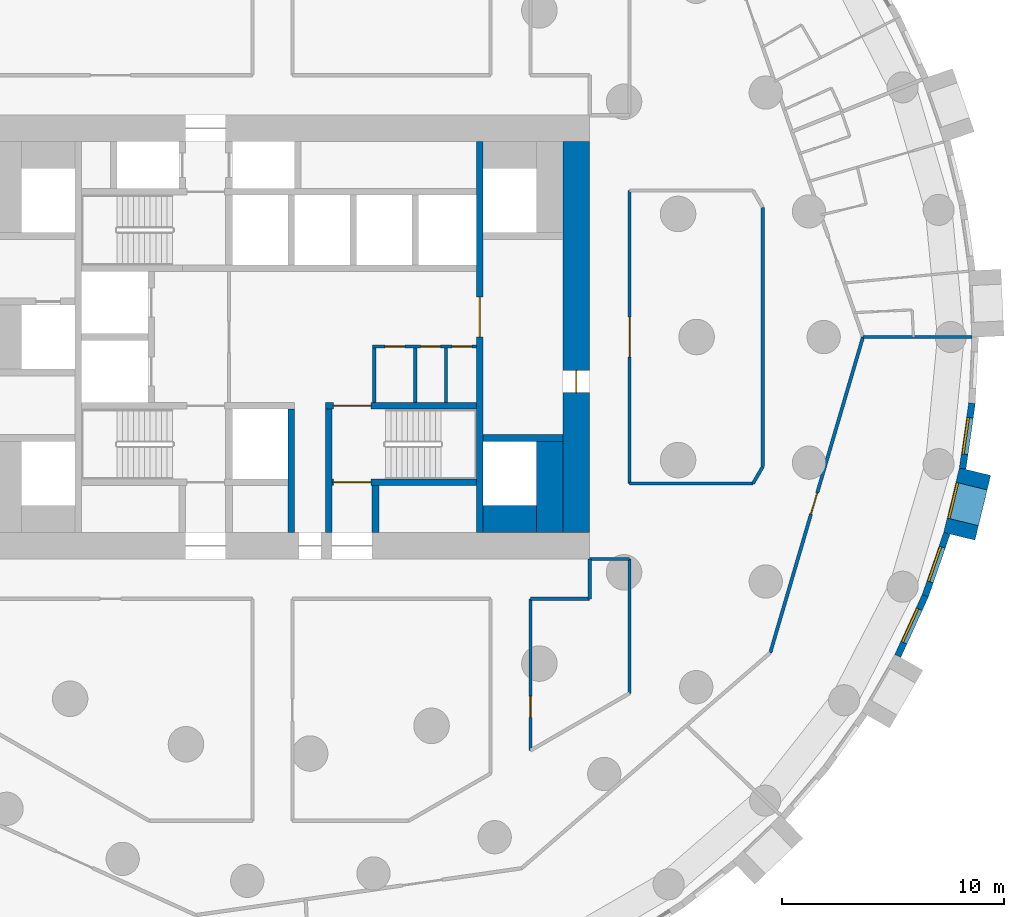
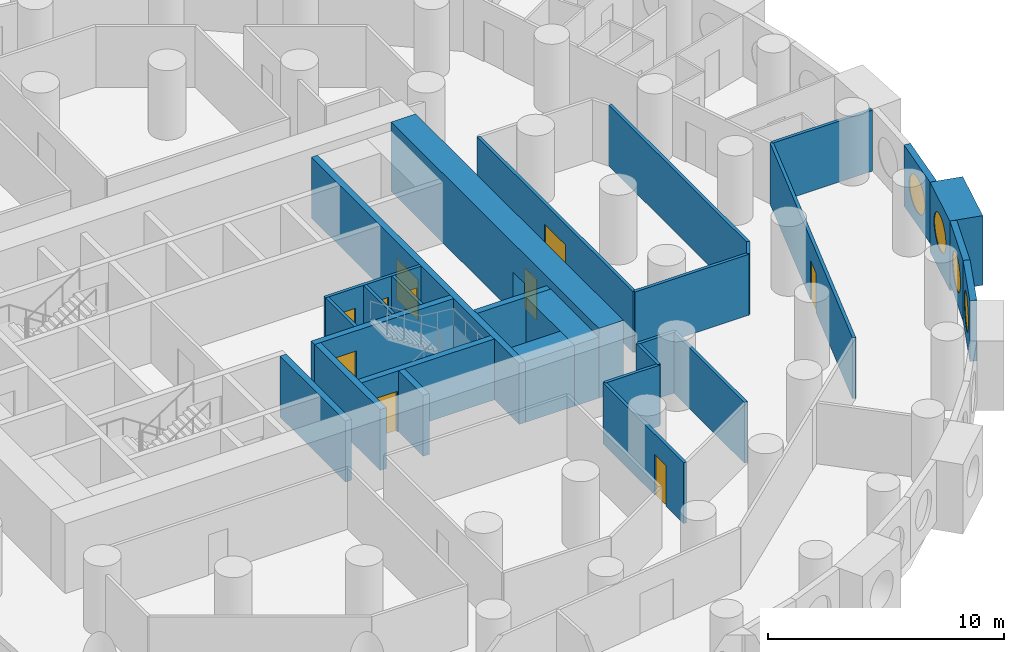
# One storey, part 5 of 12: 29 walls, 10 doors, 4 windows, 14 openings.
"""IFC4 building model written with IfcOpenShell, lengths in metres."""

from ifc_helpers import new_model, si_unit, direction, frame, frame_2d, origin, origin_2d, place, context, subcontext, project, spatial, rectangle, circle, extrude, material, layer, layer_set, type_object, element, fill, save


model = new_model("IFC4")

# Units and contexts
model_context = context("Model", 3, precision=1e-05, world=origin(), true_north=direction((0.0, 1.0)))
body_context = subcontext(model_context, "Body", "Model", "MODEL_VIEW")
ifc_project = project(units=[si_unit("LENGTHUNIT", "METRE"), si_unit("AREAUNIT", "SQUARE_METRE"), si_unit("VOLUMEUNIT", "CUBIC_METRE"), si_unit("PLANEANGLEUNIT", "RADIAN"), si_unit("MASSUNIT", "GRAM", prefix="KILO")], contexts=[model_context])

# Site, building, storey
site_placement = place(None, origin())
site = spatial("IfcSite", under=ifc_project, at=site_placement, CompositionType="ELEMENT")
building_placement = place(site_placement, origin())
building = spatial("IfcBuilding", under=site, at=building_placement, Name="Tracery Tower", CompositionType="ELEMENT")
storey_placement = place(building_placement, frame((0.0, 0.0, 39.0)))
storey = spatial("IfcBuildingStorey", under=building, at=storey_placement, Name="L08", CompositionType="ELEMENT", Elevation=39.0)

# Wall
ifc_material_1 = material(Name="Plasterboard on steel studs", Category="steel")
ifc_layer_1 = layer(ifc_material_1, 0.14990234375)
ifc_layer_set_1 = layer_set([ifc_layer_1], Name="Core room partition 150")
wall_type_1 = type_object("IfcWallType", Name="Core room partition 150", PredefinedType="SOLIDWALL", material=ifc_layer_set_1)
wall_1_placement = place(storey_placement, frame((4.300048828125, -2.949951171875, 0.0), z_axis=(0.0, 0.0, 1.0), x_axis=(0.0, 1.0, 0.0)))
element("IfcWall", 1, at=wall_1_placement, inside=storey, type_object=wall_type_1, Name="L08 slot W", PredefinedType="SOLIDWALL", context=body_context, shape_type="SweptSolid", body=[
    extrude(rectangle(XDim=2.449951171875, YDim=0.14990234375, at=frame_2d((1.22509765625, 0.0))), origin(), (0.0, 0.0, 1.0), 3.14990234375),
])

# Wall, openings, doors
wall_2_placement = place(storey_placement, frame((4.22509765625, -0.425048828125, 0.0), z_axis=(0.0, 0.0, 1.0), x_axis=(1.0, 0.0, 0.0)))
wall_2 = element("IfcWall", 2, at=wall_2_placement, inside=storey, type_object=wall_type_1, Name="L08 slot N", PredefinedType="SOLIDWALL", context=body_context, shape_type="SweptSolid", body=[
    extrude(rectangle(XDim=4.6748046875, YDim=0.14990234375, at=frame_2d((2.33740234375, 0.0))), origin(), (0.0, 0.0, 1.0), 3.14990234375),
])
opening_1_placement = place(wall_2_placement, frame((0.550048828125, 0.0, 0.0)))
opening_1 = element("IfcOpeningElement", 3, at=opening_1_placement, cuts=wall_2, Name="Opening KD22", PredefinedType="OPENING", context=body_context, shape_type="SweptSolid", body=[
    extrude(rectangle(XDim=0.89990234375, YDim=2.10009765625, at=frame_2d((0.449951171875, 1.050048828125))), frame((0.0, 0.074951171875, 0.0), z_axis=(0.0, -1.0, 0.0), x_axis=(1.0, 0.0, 0.0)), (0.0, 0.0, 1.0), 0.14990234375),
])
opening_2_placement = place(wall_2_placement, frame((2.16259765625, 0.0, 0.0)))
opening_2 = element("IfcOpeningElement", 4, at=opening_2_placement, cuts=wall_2, Name="Opening KD31", PredefinedType="OPENING", context=body_context, shape_type="SweptSolid", body=[
    extrude(rectangle(XDim=0.89990234375, YDim=2.10009765625, at=frame_2d((0.449951171875, 1.050048828125))), frame((0.0, 0.074951171875, 0.0), z_axis=(0.0, -1.0, 0.0), x_axis=(1.0, 0.0, 0.0)), (0.0, 0.0, 1.0), 0.14990234375),
])
opening_3_placement = place(wall_2_placement, frame((3.574951171875, 0.0, 0.0)))
opening_3 = element("IfcOpeningElement", 5, at=opening_3_placement, cuts=wall_2, Name="Opening KD27", PredefinedType="OPENING", context=body_context, shape_type="SweptSolid", body=[
    extrude(rectangle(XDim=0.89990234375, YDim=2.10009765625, at=frame_2d((0.449951171875, 1.050048828125))), frame((0.0, 0.074951171875, 0.0), z_axis=(0.0, -1.0, 0.0), x_axis=(1.0, 0.0, 0.0)), (0.0, 0.0, 1.0), 0.14990234375),
])
ifc_material_2 = material(Name="Timber door leaf", Category="wood")
door_type_1 = type_object("IfcDoorType", Name="Core WC door 900", OperationType="NOTDEFINED", PredefinedType="DOOR", material=ifc_material_2)
door_1_placement = place(opening_1_placement, origin())
door_1 = element("IfcDoor", 6, at=door_1_placement, inside=storey, type_object=door_type_1, Name="Core door", OperationType="SINGLE_SWING_RIGHT", OverallHeight=2.10009765625, OverallWidth=0.89990234375, PredefinedType="DOOR", context=body_context, shape_type="SweptSolid", body=[
    extrude(rectangle(XDim=0.89990234375, YDim=2.10009765625, at=frame_2d((0.449951171875, 1.050048828125))), frame((0.0, 0.02490234375, 0.0), z_axis=(0.0, -1.0, 0.0), x_axis=(1.0, 0.0, 0.0)), (0.0, 0.0, 1.0), 0.050048828125),
])
fill(opening_1, door_1)
ifc_material_3 = material(Name="Steel fire door", Category="steel")
door_type_2 = type_object("IfcDoorType", Name="Core riser door 900", OperationType="NOTDEFINED", PredefinedType="DOOR", material=ifc_material_3)
door_2_placement = place(opening_2_placement, origin())
door_2 = element("IfcDoor", 7, at=door_2_placement, inside=storey, type_object=door_type_2, Name="Core door", OperationType="SINGLE_SWING_LEFT", OverallHeight=2.10009765625, OverallWidth=0.89990234375, PredefinedType="DOOR", context=body_context, shape_type="SweptSolid", body=[
    extrude(rectangle(XDim=0.89990234375, YDim=2.10009765625, at=frame_2d((0.449951171875, 1.050048828125))), frame((0.0, 0.02490234375, 0.0), z_axis=(0.0, -1.0, 0.0), x_axis=(1.0, 0.0, 0.0)), (0.0, 0.0, 1.0), 0.050048828125),
])
fill(opening_2, door_2)
ifc_material_4 = material(Name="Timber door leaf", Category="wood")
door_type_3 = type_object("IfcDoorType", Name="Core store door 900", OperationType="NOTDEFINED", PredefinedType="DOOR", material=ifc_material_4)
door_3_placement = place(opening_3_placement, origin())
door_3 = element("IfcDoor", 8, at=door_3_placement, inside=storey, type_object=door_type_3, Name="Core door", OperationType="SINGLE_SWING_RIGHT", OverallHeight=2.10009765625, OverallWidth=0.89990234375, PredefinedType="DOOR", context=body_context, shape_type="SweptSolid", body=[
    extrude(rectangle(XDim=0.89990234375, YDim=2.10009765625, at=frame_2d((0.449951171875, 1.050048828125))), frame((0.0, 0.02490234375, 0.0), z_axis=(0.0, -1.0, 0.0), x_axis=(1.0, 0.0, 0.0)), (0.0, 0.0, 1.0), 0.050048828125),
])
fill(opening_3, door_3)

# Walls
for number, where, z_axis, x_axis, name in (
    (9, (6.14990234375, -2.949951171875, 0.0), (0.0, 0.0, 1.0), (0.0, 1.0, 0.0), "L08 slot sep 1"),
    (10, (7.52490234375, -2.949951171875, 0.0), (0.0, 0.0, 1.0), (0.0, 1.0, 0.0), "L08 slot sep 2"),
):
    element("IfcWall", number, at=place(storey_placement, frame(where, z_axis=z_axis, x_axis=x_axis)), inside=storey, type_object=wall_type_1, Name=name, PredefinedType="SOLIDWALL", context=body_context, shape_type="SweptSolid", body=[
        extrude(rectangle(XDim=2.449951171875, YDim=0.14990234375, at=frame_2d((1.22509765625, 0.0))), origin(), (0.0, 0.0, 1.0), 3.14990234375),
    ])
ifc_material_5 = material(Name="Concrete C60/75", Category="concrete")
ifc_layer_2 = layer(ifc_material_5, 1.199951171875)
ifc_layer_set_2 = layer_set([ifc_layer_2], Name="Core strip wall 1200 C60")
wall_type_2 = type_object("IfcWallType", Name="Core strip wall 1200 C60", PredefinedType="SOLIDWALL", material=ifc_layer_set_2)
wall_3_placement = place(storey_placement, frame((12.199951171875, -8.800048828125, 0.0), z_axis=(0.0, 0.0, 1.0), x_axis=(0.0, 1.0, 0.0)))
element("IfcWall", 11, at=wall_3_placement, inside=storey, type_object=wall_type_2, Name="L08 wing strip +1 -9.4", PredefinedType="SOLIDWALL", context=body_context, shape_type="SweptSolid", body=[
    extrude(rectangle(XDim=4.10009765625, YDim=1.199951171875, at=frame_2d((2.050048828125, 0.0))), origin(), (0.0, 0.0, 1.0), 3.14990234375),
])
wall_4_placement = place(storey_placement, frame((9.199951171875, -8.199951171875, 0.0), z_axis=(0.0, 0.0, 1.0), x_axis=(1.0, 0.0, 0.0)))
element("IfcWall", 12, at=wall_4_placement, inside=storey, type_object=wall_type_2, Name="L08 wing corner +1 -8.2", PredefinedType="SOLIDWALL", context=body_context, shape_type="SweptSolid", body=[
    extrude(rectangle(XDim=2.400146484375, YDim=1.199951171875, at=frame_2d((1.2001953125, 0.0))), origin(), (0.0, 0.0, 1.0), 3.14990234375),
])

# Wall, opening, door
ifc_material_6 = material(Name="Concrete C60/75", Category="concrete")
ifc_layer_3 = layer(ifc_material_6, 1.199951171875)
ifc_layer_set_3 = layer_set([ifc_layer_3], Name="Core wall 1200 C60")
wall_type_3 = type_object("IfcWallType", Name="Core wall 1200 C60", PredefinedType="SOLIDWALL", material=ifc_layer_set_3)
wall_5_placement = place(storey_placement, frame((13.39990234375, -8.800048828125, 0.0), z_axis=(0.0, 0.0, 1.0), x_axis=(0.0, 1.0, 0.0)))
wall_5 = element("IfcWall", 13, at=wall_5_placement, inside=storey, type_object=wall_type_3, Name="L08 outer E", PredefinedType="SOLIDWALL", context=body_context, shape_type="SweptSolid", body=[
    extrude(rectangle(XDim=17.60009765625, YDim=1.199951171875, at=frame_2d((8.800048828125, 0.0))), origin(), (0.0, 0.0, 1.0), 3.60009765625),
])
opening_4_placement = place(wall_5_placement, frame((6.300048828125, 0.0, 0.0)))
opening_4 = element("IfcOpeningElement", 14, at=opening_4_placement, cuts=wall_5, Name="Opening KD18", PredefinedType="OPENING", context=body_context, shape_type="SweptSolid", body=[
    extrude(rectangle(XDim=1.0, YDim=2.10009765625, at=frame_2d((0.5, 1.050048828125))), frame((0.0, 0.60009765625, 0.0), z_axis=(0.0, -1.0, 0.0), x_axis=(1.0, 0.0, 0.0)), (0.0, 0.0, 1.0), 1.199951171875),
])
ifc_material_7 = material(Name="Steel fire door", Category="steel")
door_type_4 = type_object("IfcDoorType", Name="Core exit door 1000", OperationType="NOTDEFINED", PredefinedType="DOOR", material=ifc_material_7)
door_4_placement = place(opening_4_placement, origin())
door_4 = element("IfcDoor", 15, at=door_4_placement, inside=storey, type_object=door_type_4, Name="Core exit door", OperationType="DOUBLE_DOOR_SINGLE_SWING", OverallHeight=2.10009765625, OverallWidth=1.0, PredefinedType="DOOR", context=body_context, shape_type="SweptSolid", body=[
    extrude(rectangle(XDim=1.0, YDim=2.10009765625, at=frame_2d((0.5, 1.050048828125))), frame((0.0, 0.02490234375, 0.0), z_axis=(0.0, -1.0, 0.0), x_axis=(1.0, 0.0, 0.0)), (0.0, 0.0, 1.0), 0.050048828125),
])
fill(opening_4, door_4)

# Wall, opening, window
ifc_material_8 = material(Name="Precast concrete C50/60", Category="concrete")
ifc_layer_4 = layer(ifc_material_8, 1.449951171875)
ifc_layer_set_4 = layer_set([ifc_layer_4], Name="Deep-set bay unit 3000 x 3600, slab edge 450")
wall_type_4 = type_object("IfcWallType", Name="Deep-set bay unit 3000 x 3600, slab edge 450", PredefinedType="ELEMENTEDWALL", material=ifc_layer_set_4)
wall_6_placement = place(storey_placement, frame((30.66064453125, -8.981689453125, -0.449951171875), z_axis=(0.0, 0.0, 1.0), x_axis=(0.235751415068, 0.971813392732, 0.0)))
wall_6 = element("IfcWall", 16, at=wall_6_placement, inside=storey, type_object=wall_type_4, Name="Deep-set bay unit 64 at L08", PredefinedType="ELEMENTEDWALL", context=body_context, shape_type="SweptSolid", body=[
    extrude(rectangle(XDim=3.0, YDim=1.449951171875, at=frame_2d((1.5, 0.0))), origin(), (0.0, 0.0, 1.0), 3.599853515625),
])
opening_5_placement = place(wall_6_placement, frame((1.5, 0.0, 2.0)))
opening_5 = element("IfcOpeningElement", 17, at=opening_5_placement, cuts=wall_6, Name="Opening WN1", PredefinedType="OPENING", context=body_context, shape_type="SweptSolid", body=[
    extrude(circle(Radius=0.9000244140625, at=origin_2d()), frame((0.0, 0.73486328125, 0.0), z_axis=(0.0, -1.0, 0.0), x_axis=(1.0, 0.0, 0.0)), (0.0, 0.0, 1.0), 1.469970703125),
])
ifc_material_9 = material(Name="Aluminium frame with tinted double glazing", Category="aluminium")
window_type = type_object("IfcWindowType", Name="Round window 1800", PartitioningType="SINGLE_PANEL", PredefinedType="WINDOW", material=ifc_material_9)
window_1_placement = place(opening_5_placement, origin())
window_1 = element("IfcWindow", 18, at=window_1_placement, inside=storey, type_object=window_type, Name="Round window 64 at L08", OverallHeight=1.800048828125, OverallWidth=1.800048828125, PartitioningType="SINGLE_PANEL", PredefinedType="WINDOW", context=body_context, shape_type="SweptSolid", body=[
    extrude(circle(Radius=0.9000244140625, at=origin_2d()), frame((0.0, 0.69482421875, 0.0), z_axis=(0.0, -1.0, 0.0), x_axis=(1.0, 0.0, 0.0)), (0.0, 0.0, 1.0), 0.10009765625),
])
fill(opening_5, window_1)

ifc_material_10 = material(Name="Precast concrete C50/60", Category="concrete")
ifc_layer_5 = layer(ifc_material_10, 0.300048828125)
ifc_layer_set_5 = layer_set([ifc_layer_5], Name="Facade panel 3000 x 3150")
wall_type_5 = type_object("IfcWallType", Name="Facade panel 3000 x 3150", PredefinedType="SOLIDWALL", material=ifc_layer_set_5)
wall_7_placement = place(storey_placement, frame((27.88916015625, -14.37109375, 0.0), z_axis=(0.0, 0.0, 1.0), x_axis=(0.415407317162, 0.909635509888, 0.0)))
wall_7 = element("IfcWall", 19, at=wall_7_placement, inside=storey, type_object=wall_type_5, Name="Facade panel 62 at L08", PredefinedType="SOLIDWALL", context=body_context, shape_type="SweptSolid", body=[
    extrude(rectangle(XDim=2.979736328125, YDim=0.300048828125, at=frame_2d((1.48974609375, 0.0))), origin(), (0.0, 0.0, 1.0), 3.14990234375),
])
opening_6_placement = place(wall_7_placement, frame((1.48974609375, 0.0, 1.5498046875)))
opening_6 = element("IfcOpeningElement", 20, at=opening_6_placement, cuts=wall_7, Name="Opening WN1", PredefinedType="OPENING", context=body_context, shape_type="SweptSolid", body=[
    extrude(circle(Radius=0.9000244140625, at=origin_2d()), frame((0.0, 0.159912109375, 0.0), z_axis=(0.0, -1.0, 0.0), x_axis=(1.0, 0.0, 0.0)), (0.0, 0.0, 1.0), 0.320068359375),
])
window_2_placement = place(opening_6_placement, origin())
window_2 = element("IfcWindow", 21, at=window_2_placement, inside=storey, type_object=window_type, Name="Round window 62 at L08", OverallHeight=1.800048828125, OverallWidth=1.800048828125, PartitioningType="SINGLE_PANEL", PredefinedType="WINDOW", context=body_context, shape_type="SweptSolid", body=[
    extrude(circle(Radius=0.9000244140625, at=origin_2d()), frame((0.0, 0.1201171875, 0.0), z_axis=(0.0, -1.0, 0.0), x_axis=(1.0, 0.0, 0.0)), (0.0, 0.0, 1.0), 0.10009765625),
])
fill(opening_6, window_2)

wall_8_placement = place(storey_placement, frame((29.126953125, -11.66064453125, 0.0), z_axis=(0.0, 0.0, 1.0), x_axis=(0.327096492592, 0.944990944154, 0.0)))
wall_8 = element("IfcWall", 22, at=wall_8_placement, inside=storey, type_object=wall_type_5, Name="Facade panel 63 at L08", PredefinedType="SOLIDWALL", context=body_context, shape_type="SweptSolid", body=[
    extrude(rectangle(XDim=2.9794921875, YDim=0.300048828125, at=frame_2d((1.48974609375, 0.0))), origin(), (0.0, 0.0, 1.0), 3.14990234375),
])
opening_7_placement = place(wall_8_placement, frame((1.48974609375, 0.0, 1.5498046875)))
opening_7 = element("IfcOpeningElement", 23, at=opening_7_placement, cuts=wall_8, Name="Opening WN1", PredefinedType="OPENING", context=body_context, shape_type="SweptSolid", body=[
    extrude(circle(Radius=0.9000244140625, at=origin_2d()), frame((0.0, 0.159912109375, 0.0), z_axis=(0.0, -1.0, 0.0), x_axis=(1.0, 0.0, 0.0)), (0.0, 0.0, 1.0), 0.320068359375),
])
window_3_placement = place(opening_7_placement, origin())
window_3 = element("IfcWindow", 24, at=window_3_placement, inside=storey, type_object=window_type, Name="Round window 63 at L08", OverallHeight=1.800048828125, OverallWidth=1.800048828125, PartitioningType="SINGLE_PANEL", PredefinedType="WINDOW", context=body_context, shape_type="SweptSolid", body=[
    extrude(circle(Radius=0.9000244140625, at=origin_2d()), frame((0.0, 0.1201171875, 0.0), z_axis=(0.0, -1.0, 0.0), x_axis=(1.0, 0.0, 0.0)), (0.0, 0.0, 1.0), 0.10009765625),
])
fill(opening_7, window_3)

wall_9_placement = place(storey_placement, frame((30.808349609375, -5.931640625, 0.0), z_axis=(0.0, 0.0, 1.0), x_axis=(0.142327539111, 0.989819615693, 0.0)))
wall_9 = element("IfcWall", 25, at=wall_9_placement, inside=storey, type_object=wall_type_5, Name="Facade panel 65 at L08", PredefinedType="SOLIDWALL", context=body_context, shape_type="SweptSolid", body=[
    extrude(rectangle(XDim=2.9794921875, YDim=0.300048828125, at=frame_2d((1.48974609375, 0.0))), origin(), (0.0, 0.0, 1.0), 3.14990234375),
])
opening_8_placement = place(wall_9_placement, frame((1.48974609375, 0.0, 1.5498046875)))
opening_8 = element("IfcOpeningElement", 26, at=opening_8_placement, cuts=wall_9, Name="Opening WN1", PredefinedType="OPENING", context=body_context, shape_type="SweptSolid", body=[
    extrude(circle(Radius=0.9000244140625, at=origin_2d()), frame((0.0, 0.159912109375, 0.0), z_axis=(0.0, -1.0, 0.0), x_axis=(1.0, 0.0, 0.0)), (0.0, 0.0, 1.0), 0.320068359375),
])
window_4_placement = place(opening_8_placement, origin())
window_4 = element("IfcWindow", 27, at=window_4_placement, inside=storey, type_object=window_type, Name="Round window 65 at L08", OverallHeight=1.800048828125, OverallWidth=1.800048828125, PartitioningType="SINGLE_PANEL", PredefinedType="WINDOW", context=body_context, shape_type="SweptSolid", body=[
    extrude(circle(Radius=0.9000244140625, at=origin_2d()), frame((0.0, 0.1201171875, 0.0), z_axis=(0.0, -1.0, 0.0), x_axis=(1.0, 0.0, 0.0)), (0.0, 0.0, 1.0), 0.10009765625),
])
fill(opening_8, window_4)

# Walls
ifc_material_11 = material(Name="Plasterboard on steel studs", Category="steel")
ifc_layer_6 = layer(ifc_material_11, 0.14990234375)
ifc_layer_set_6 = layer_set([ifc_layer_6], Name="Partition 150 acoustic unit wall")
wall_type_6 = type_object("IfcWallType", Name="Partition 150 acoustic unit wall", PredefinedType="PARTITIONING", material=ifc_layer_set_6)
wall_10_placement = place(storey_placement, frame((26.319091796875, 0.0, 0.0), z_axis=(0.0, 0.0, 1.0), x_axis=(1.0, 0.0, 0.0)))
element("IfcWall", 28, at=wall_10_placement, inside=storey, type_object=wall_type_6, Name="Unit wall RA2-065", PredefinedType="PARTITIONING", context=body_context, shape_type="SweptSolid", body=[
    extrude(rectangle(XDim=4.905029296875, YDim=0.14990234375, at=frame_2d((2.45263671875, 0.0))), origin(), (0.0, 0.0, 1.0), 3.14990234375),
])
ifc_material_12 = material(Name="Plasterboard on steel studs", Category="steel")
ifc_layer_7 = layer(ifc_material_12, 0.14990234375)
ifc_layer_set_7 = layer_set([ifc_layer_7], Name="Partition 150 corridor wall")
wall_type_7 = type_object("IfcWallType", Name="Partition 150 corridor wall", PredefinedType="PARTITIONING", material=ifc_layer_set_7)
wall_11_placement = place(storey_placement, frame((14.0, -11.800048828125, 0.0), z_axis=(0.0, 0.0, 1.0), x_axis=(0.0, 1.0, 0.0)))
element("IfcWall", 29, at=wall_11_placement, inside=storey, type_object=wall_type_7, Name="Corridor wall RA2-007", PredefinedType="PARTITIONING", context=body_context, shape_type="SweptSolid", body=[
    extrude(rectangle(XDim=1.800048828125, YDim=0.14990234375, at=frame_2d((0.89990234375, 0.0))), origin(), (0.0, 0.0, 1.0), 3.14990234375),
])
wall_12_placement = place(storey_placement, frame((11.33203125, -11.800048828125, 0.0), z_axis=(0.0, 0.0, 1.0), x_axis=(1.0, 0.0, 0.0)))
element("IfcWall", 30, at=wall_12_placement, inside=storey, type_object=wall_type_7, Name="Corridor wall RA2-008", PredefinedType="PARTITIONING", context=body_context, shape_type="SweptSolid", body=[
    extrude(rectangle(XDim=2.66796875, YDim=0.14990234375, at=frame_2d((1.333984375, 0.0))), origin(), (0.0, 0.0, 1.0), 3.14990234375),
])
wall_13_placement = place(storey_placement, frame((14.0, -10.0, 0.0), z_axis=(0.0, 0.0, 1.0), x_axis=(1.0, 0.0, 0.0)))
element("IfcWall", 31, at=wall_13_placement, inside=storey, type_object=wall_type_7, Name="Corridor wall RA2-010", PredefinedType="PARTITIONING", context=body_context, shape_type="SweptSolid", body=[
    extrude(rectangle(XDim=1.800048828125, YDim=0.14990234375, at=frame_2d((0.89990234375, 0.0))), origin(), (0.0, 0.0, 1.0), 3.14990234375),
])

# Wall, opening, door
wall_14_placement = place(storey_placement, frame((15.800048828125, -6.60400390625, 0.0), z_axis=(0.0, 0.0, 1.0), x_axis=(0.0, 1.0, 0.0)))
wall_14 = element("IfcWall", 32, at=wall_14_placement, inside=storey, type_object=wall_type_7, Name="Corridor wall RA2-011", PredefinedType="PARTITIONING", context=body_context, shape_type="SweptSolid", body=[
    extrude(rectangle(XDim=13.2080078125, YDim=0.14990234375, at=frame_2d((6.60400390625, 0.0))), origin(), (0.0, 0.0, 1.0), 3.14990234375),
])
opening_9_placement = place(wall_14_placement, frame((5.7041015625, 0.0, 0.0)))
opening_9 = element("IfcOpeningElement", 33, at=opening_9_placement, cuts=wall_14, Name="Opening RA2-07", PredefinedType="OPENING", context=body_context, shape_type="SweptSolid", body=[
    extrude(rectangle(XDim=1.800048828125, YDim=2.10009765625, at=frame_2d((0.89990234375, 1.050048828125))), frame((0.0, 0.074951171875, 0.0), z_axis=(0.0, -1.0, 0.0), x_axis=(1.0, 0.0, 0.0)), (0.0, 0.0, 1.0), 0.14990234375),
])
ifc_material_13 = material(Name="Timber door leaf", Category="wood")
door_type_5 = type_object("IfcDoorType", Name="Door double lounge 1800", OperationType="NOTDEFINED", PredefinedType="DOOR", material=ifc_material_13)
door_5_placement = place(opening_9_placement, origin())
door_5 = element("IfcDoor", 34, at=door_5_placement, inside=storey, type_object=door_type_5, Name="Double lounge door RA2-07", OperationType="DOUBLE_DOOR_SINGLE_SWING", OverallHeight=2.10009765625, OverallWidth=1.800048828125, PredefinedType="DOOR", context=body_context, shape_type="SweptSolid", body=[
    extrude(rectangle(XDim=1.800048828125, YDim=2.10009765625, at=frame_2d((0.89990234375, 1.050048828125))), frame((0.0, 0.02490234375, 0.0), z_axis=(0.0, -1.0, 0.0), x_axis=(1.0, 0.0, 0.0)), (0.0, 0.0, 1.0), 0.050048828125),
])
fill(opening_9, door_5)

# Walls
wall_15_placement = place(storey_placement, frame((15.800048828125, -16.052978515625, 0.0), z_axis=(0.0, 0.0, 1.0), x_axis=(0.0, 1.0, 0.0)))
element("IfcWall", 35, at=wall_15_placement, inside=storey, type_object=wall_type_7, Name="Corridor wall RA2-014", PredefinedType="PARTITIONING", context=body_context, shape_type="SweptSolid", body=[
    extrude(rectangle(XDim=6.056884765625, YDim=0.14990234375, at=frame_2d((3.0283203125, 0.0))), origin(), (0.0, 0.0, 1.0), 3.14990234375),
])
wall_16_placement = place(storey_placement, frame((15.800048828125, -6.60009765625, 0.0), z_axis=(0.0, 0.0, 1.0), x_axis=(1.0, 0.0, 0.0)))
element("IfcWall", 36, at=wall_16_placement, inside=storey, type_object=wall_type_7, Name="Corridor wall RA2-015", PredefinedType="PARTITIONING", context=body_context, shape_type="SweptSolid", body=[
    extrude(rectangle(XDim=5.56396484375, YDim=0.14990234375, at=frame_2d((2.781982421875, 0.0))), origin(), (0.0, 0.0, 1.0), 3.14990234375),
])
wall_17_placement = place(storey_placement, frame((21.364013671875, -6.60009765625, 0.0), z_axis=(0.0, 0.0, 1.0), x_axis=(0.500277597875, 0.865865073245, 0.0)))
element("IfcWall", 37, at=wall_17_placement, inside=storey, type_object=wall_type_7, Name="Corridor wall RA2-016", PredefinedType="PARTITIONING", context=body_context, shape_type="SweptSolid", body=[
    extrude(rectangle(XDim=0.87548828125, YDim=0.14990234375, at=frame_2d((0.437744140625, 0.0))), origin(), (0.0, 0.0, 1.0), 3.14990234375),
])
wall_18_placement = place(storey_placement, frame((21.802001953125, -5.842041015625, 0.0), z_axis=(0.0, 0.0, 1.0), x_axis=(0.0, 1.0, 0.0)))
element("IfcWall", 38, at=wall_18_placement, inside=storey, type_object=wall_type_7, Name="Corridor wall RA2-017", PredefinedType="PARTITIONING", context=body_context, shape_type="SweptSolid", body=[
    extrude(rectangle(XDim=11.68408203125, YDim=0.14990234375, at=frame_2d((5.842041015625, 0.0))), origin(), (0.0, 0.0, 1.0), 3.14990234375),
])

# Wall, opening, door
wall_19_placement = place(storey_placement, frame((22.14111328125, -14.22900390625, 0.0), z_axis=(0.0, 0.0, 1.0), x_axis=(0.281730446162, 0.959493593363, 0.0)))
wall_19 = element("IfcWall", 39, at=wall_19_placement, inside=storey, type_object=wall_type_7, Name="Corridor wall RA2-023", PredefinedType="PARTITIONING", context=body_context, shape_type="SweptSolid", body=[
    extrude(rectangle(XDim=14.82958984375, YDim=0.14990234375, at=frame_2d((7.414794921875, 0.0))), origin(), (0.0, 0.0, 1.0), 3.14990234375),
])
opening_10_placement = place(wall_19_placement, frame((6.5146484375, 0.0, 0.0)))
opening_10 = element("IfcOpeningElement", 40, at=opening_10_placement, cuts=wall_19, Name="Opening RA2-50", PredefinedType="OPENING", context=body_context, shape_type="SweptSolid", body=[
    extrude(rectangle(XDim=1.0, YDim=2.0400390625, at=frame_2d((0.5, 1.02001953125))), frame((0.0, 0.074951171875, 0.0), z_axis=(0.0, -1.0, 0.0), x_axis=(1.0, 0.0, 0.0)), (0.0, 0.0, 1.0), 0.14990234375),
])
ifc_material_14 = material(Name="Timber door leaf", Category="wood")
door_type_6 = type_object("IfcDoorType", Name="Door communal room 1000", OperationType="NOTDEFINED", PredefinedType="DOOR", material=ifc_material_14)
door_6_placement = place(opening_10_placement, origin())
door_6 = element("IfcDoor", 41, at=door_6_placement, inside=storey, type_object=door_type_6, Name="Communal room door RA2-50", OperationType="SINGLE_SWING_RIGHT", OverallHeight=2.0400390625, OverallWidth=1.0, PredefinedType="DOOR", context=body_context, shape_type="SweptSolid", body=[
    extrude(rectangle(XDim=1.0, YDim=2.0400390625, at=frame_2d((0.5, 1.02001953125))), frame((0.0, 0.02490234375, 0.0), z_axis=(0.0, -1.0, 0.0), x_axis=(1.0, 0.0, 0.0)), (0.0, 0.0, 1.0), 0.050048828125),
])
fill(opening_10, door_6)

wall_20_placement = place(storey_placement, frame((11.3359375, -18.6298828125, 0.0), z_axis=(0.0, 0.0, 1.0), x_axis=(0.0, 1.0, 0.0)))
wall_20 = element("IfcWall", 42, at=wall_20_placement, inside=storey, type_object=wall_type_7, Name="Corridor wall RA2-053", PredefinedType="PARTITIONING", context=body_context, shape_type="SweptSolid", body=[
    extrude(rectangle(XDim=6.829833984375, YDim=0.14990234375, at=frame_2d((3.4150390625, 0.0))), origin(), (0.0, 0.0, 1.0), 3.14990234375),
])
opening_11_placement = place(wall_20_placement, frame((1.489990234375, 0.0, 0.0)))
opening_11 = element("IfcOpeningElement", 43, at=opening_11_placement, cuts=wall_20, Name="Opening RA2-06", PredefinedType="OPENING", context=body_context, shape_type="SweptSolid", body=[
    extrude(rectangle(XDim=0.949951171875, YDim=2.10009765625, at=frame_2d((0.47509765625, 1.050048828125))), frame((0.0, 0.074951171875, 0.0), z_axis=(0.0, -1.0, 0.0), x_axis=(1.0, 0.0, 0.0)), (0.0, 0.0, 1.0), 0.14990234375),
])
ifc_material_15 = material(Name="Timber door leaf", Category="wood")
door_type_7 = type_object("IfcDoorType", Name="Door store 950", OperationType="NOTDEFINED", PredefinedType="DOOR", material=ifc_material_15)
door_7_placement = place(opening_11_placement, origin())
door_7 = element("IfcDoor", 44, at=door_7_placement, inside=storey, type_object=door_type_7, Name="Store door RA2-06", OperationType="SINGLE_SWING_RIGHT", OverallHeight=2.10009765625, OverallWidth=0.949951171875, PredefinedType="DOOR", context=body_context, shape_type="SweptSolid", body=[
    extrude(rectangle(XDim=0.949951171875, YDim=2.10009765625, at=frame_2d((0.47509765625, 1.050048828125))), frame((0.0, 0.02490234375, 0.0), z_axis=(0.0, -1.0, 0.0), x_axis=(1.0, 0.0, 0.0)), (0.0, 0.0, 1.0), 0.050048828125),
])
fill(opening_11, door_7)

# Walls
ifc_material_16 = material(Name="Concrete C60/75", Category="concrete")
ifc_layer_8 = layer(ifc_material_16, 0.300048828125)
ifc_layer_set_8 = layer_set([ifc_layer_8], Name="Shaft wall 300 C60")
wall_type_8 = type_object("IfcWallType", Name="Shaft wall 300 C60", PredefinedType="SOLIDWALL", material=ifc_layer_set_8)
wall_21_placement = place(storey_placement, frame((0.550048828125, -8.800048828125, 0.0), z_axis=(0.0, 0.0, 1.0), x_axis=(0.0, 1.0, 0.0)))
element("IfcWall", 45, at=wall_21_placement, inside=storey, type_object=wall_type_8, Name="L08 OB2 E", PredefinedType="SOLIDWALL", context=body_context, shape_type="SweptSolid", body=[
    extrude(rectangle(XDim=5.550048828125, YDim=0.300048828125, at=frame_2d((2.77490234375, 0.0))), origin(), (0.0, 0.0, 1.0), 3.14990234375),
])
wall_22_placement = place(storey_placement, frame((4.35009765625, -8.800048828125, 0.0), z_axis=(0.0, 0.0, 1.0), x_axis=(0.0, 1.0, 0.0)))
element("IfcWall", 46, at=wall_22_placement, inside=storey, type_object=wall_type_8, Name="L08 band S +4.35", PredefinedType="SOLIDWALL", context=body_context, shape_type="SweptSolid", body=[
    extrude(rectangle(XDim=2.10009765625, YDim=0.300048828125, at=frame_2d((1.050048828125, 0.0))), origin(), (0.0, 0.0, 1.0), 3.14990234375),
])
wall_23_placement = place(storey_placement, frame((9.199951171875, -4.550048828125, 0.0), z_axis=(0.0, 0.0, 1.0), x_axis=(1.0, 0.0, 0.0)))
element("IfcWall", 47, at=wall_23_placement, inside=storey, type_object=wall_type_8, Name="L08 wing shaft wall +1 -4.55", PredefinedType="SOLIDWALL", context=body_context, shape_type="SweptSolid", body=[
    extrude(rectangle(XDim=3.60009765625, YDim=0.300048828125, at=frame_2d((1.800048828125, 0.0))), origin(), (0.0, 0.0, 1.0), 3.14990234375),
])

# Wall, opening, door
ifc_material_17 = material(Name="Concrete C60/75", Category="concrete")
ifc_layer_9 = layer(ifc_material_17, 0.300048828125)
ifc_layer_set_9 = layer_set([ifc_layer_9], Name="Stair wall 300 C60")
wall_type_9 = type_object("IfcWallType", Name="Stair wall 300 C60", PredefinedType="SOLIDWALL", material=ifc_layer_set_9)
wall_24_placement = place(storey_placement, frame((2.10009765625, -3.10009765625, 0.0), z_axis=(0.0, 0.0, 1.0), x_axis=(1.0, 0.0, 0.0)))
wall_24 = element("IfcWall", 48, at=wall_24_placement, inside=storey, type_object=wall_type_9, Name="L08 row S E", PredefinedType="SOLIDWALL", context=body_context, shape_type="SweptSolid", body=[
    extrude(rectangle(XDim=6.7998046875, YDim=0.300048828125, at=frame_2d((3.39990234375, 0.0))), origin(), (0.0, 0.0, 1.0), 3.14990234375),
])
opening_12_placement = place(wall_24_placement, frame((0.35009765625, 0.0, 0.0)))
opening_12 = element("IfcOpeningElement", 49, at=opening_12_placement, cuts=wall_24, Name="Opening KD3", PredefinedType="OPENING", context=body_context, shape_type="SweptSolid", body=[
    extrude(rectangle(XDim=1.699951171875, YDim=2.10009765625, at=frame_2d((0.85009765625, 1.050048828125))), frame((0.0, 0.14990234375, 0.0), z_axis=(0.0, -1.0, 0.0), x_axis=(1.0, 0.0, 0.0)), (0.0, 0.0, 1.0), 0.300048828125),
])
ifc_material_18 = material(Name="Steel fire door", Category="steel")
door_type_8 = type_object("IfcDoorType", Name="Core stair door 1700 double", OperationType="NOTDEFINED", PredefinedType="DOOR", material=ifc_material_18)
door_8_placement = place(opening_12_placement, origin())
door_8 = element("IfcDoor", 50, at=door_8_placement, inside=storey, type_object=door_type_8, Name="Stair door ST2", OperationType="DOUBLE_DOOR_SINGLE_SWING", OverallHeight=2.10009765625, OverallWidth=1.699951171875, PredefinedType="DOOR", context=body_context, shape_type="SweptSolid", body=[
    extrude(rectangle(XDim=1.699951171875, YDim=2.10009765625, at=frame_2d((0.85009765625, 1.050048828125))), frame((0.0, 0.02490234375, 0.0), z_axis=(0.0, -1.0, 0.0), x_axis=(1.0, 0.0, 0.0)), (0.0, 0.0, 1.0), 0.050048828125),
])
fill(opening_12, door_8)

# Wall
wall_25_placement = place(storey_placement, frame((2.25, -8.800048828125, 0.0), z_axis=(0.0, 0.0, 1.0), x_axis=(0.0, 1.0, 0.0)))
element("IfcWall", 51, at=wall_25_placement, inside=storey, type_object=wall_type_9, Name="L08 ST2 W", PredefinedType="SOLIDWALL", context=body_context, shape_type="SweptSolid", body=[
    extrude(rectangle(XDim=5.550048828125, YDim=0.300048828125, at=frame_2d((2.77490234375, 0.0))), origin(), (0.0, 0.0, 1.0), 3.14990234375),
])

# Wall, opening, door
wall_26_placement = place(storey_placement, frame((9.050048828125, -8.800048828125, 0.0), z_axis=(0.0, 0.0, 1.0), x_axis=(0.0, 1.0, 0.0)))
wall_26 = element("IfcWall", 52, at=wall_26_placement, inside=storey, type_object=wall_type_9, Name="L08 F wall +9", PredefinedType="SOLIDWALL", context=body_context, shape_type="SweptSolid", body=[
    extrude(rectangle(XDim=17.60009765625, YDim=0.300048828125, at=frame_2d((8.800048828125, 0.0))), origin(), (0.0, 0.0, 1.0), 3.14990234375),
])
opening_13_placement = place(wall_26_placement, frame((8.800048828125, 0.0, 0.0)))
opening_13 = element("IfcOpeningElement", 53, at=opening_13_placement, cuts=wall_26, Name="Opening KD13", PredefinedType="OPENING", context=body_context, shape_type="SweptSolid", body=[
    extrude(rectangle(XDim=1.800048828125, YDim=2.10009765625, at=frame_2d((0.89990234375, 1.050048828125))), frame((0.0, 0.14990234375, 0.0), z_axis=(0.0, -1.0, 0.0), x_axis=(1.0, 0.0, 0.0)), (0.0, 0.0, 1.0), 0.300048828125),
])
ifc_material_19 = material(Name="Steel fire door", Category="steel")
door_type_9 = type_object("IfcDoorType", Name="Core exit door 1800 double", OperationType="NOTDEFINED", PredefinedType="DOOR", material=ifc_material_19)
door_9_placement = place(opening_13_placement, origin())
door_9 = element("IfcDoor", 54, at=door_9_placement, inside=storey, type_object=door_type_9, Name="Core exit door", OperationType="DOUBLE_DOOR_SINGLE_SWING", OverallHeight=2.10009765625, OverallWidth=1.800048828125, PredefinedType="DOOR", context=body_context, shape_type="SweptSolid", body=[
    extrude(rectangle(XDim=1.800048828125, YDim=2.10009765625, at=frame_2d((0.89990234375, 1.050048828125))), frame((0.0, 0.02490234375, 0.0), z_axis=(0.0, -1.0, 0.0), x_axis=(1.0, 0.0, 0.0)), (0.0, 0.0, 1.0), 0.050048828125),
])
fill(opening_13, door_9)

wall_27_placement = place(storey_placement, frame((2.39990234375, -6.550048828125, 0.0), z_axis=(0.0, 0.0, 1.0), x_axis=(1.0, 0.0, 0.0)))
wall_27 = element("IfcWall", 55, at=wall_27_placement, inside=storey, type_object=wall_type_9, Name="L08 F S E", PredefinedType="SOLIDWALL", context=body_context, shape_type="SweptSolid", body=[
    extrude(rectangle(XDim=6.5, YDim=0.300048828125, at=frame_2d((3.25, 0.0))), origin(), (0.0, 0.0, 1.0), 3.14990234375),
])
opening_14_placement = place(wall_27_placement, frame((0.050048828125, 0.0, 0.0)))
opening_14 = element("IfcOpeningElement", 56, at=opening_14_placement, cuts=wall_27, Name="Opening KD3", PredefinedType="OPENING", context=body_context, shape_type="SweptSolid", body=[
    extrude(rectangle(XDim=1.699951171875, YDim=2.10009765625, at=frame_2d((0.85009765625, 1.050048828125))), frame((0.0, 0.14990234375, 0.0), z_axis=(0.0, -1.0, 0.0), x_axis=(1.0, 0.0, 0.0)), (0.0, 0.0, 1.0), 0.300048828125),
])
door_10_placement = place(opening_14_placement, origin())
door_10 = element("IfcDoor", 57, at=door_10_placement, inside=storey, type_object=door_type_8, Name="Stair door ST2 S", OperationType="DOUBLE_DOOR_SINGLE_SWING", OverallHeight=2.10009765625, OverallWidth=1.699951171875, PredefinedType="DOOR", context=body_context, shape_type="SweptSolid", body=[
    extrude(rectangle(XDim=1.699951171875, YDim=2.10009765625, at=frame_2d((0.85009765625, 1.050048828125))), frame((0.0, 0.02490234375, 0.0), z_axis=(0.0, -1.0, 0.0), x_axis=(1.0, 0.0, 0.0)), (0.0, 0.0, 1.0), 0.050048828125),
])
fill(opening_14, door_10)

save(model, "model.ifc")
